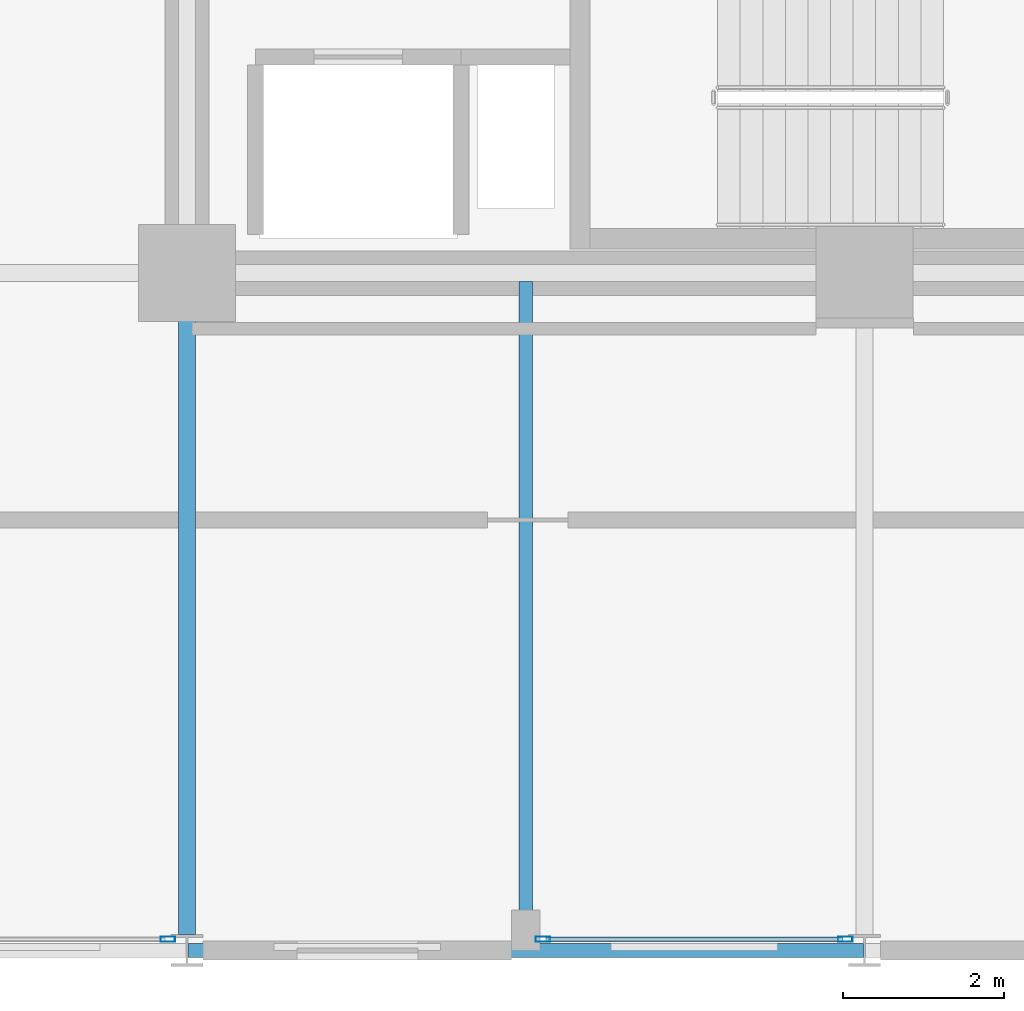
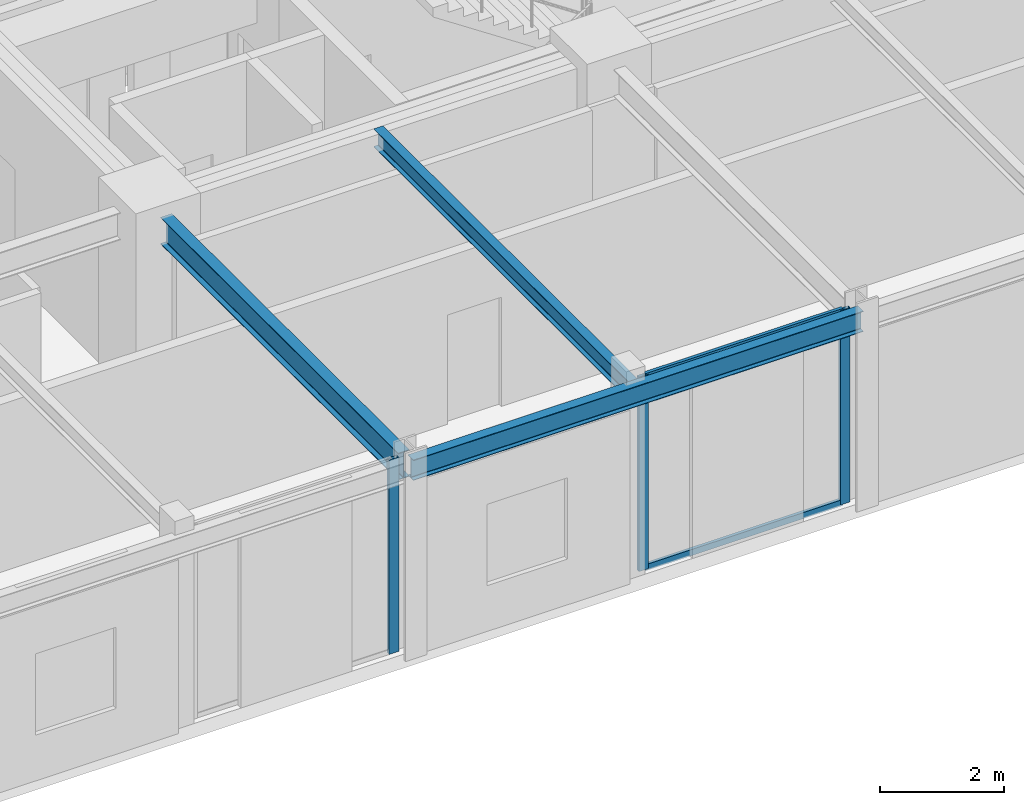
# One storey, part 6 of 29: 5 members, 3 beams, 2 elements without a shape of their own.
"""IFC4 building model written with IfcOpenShell, lengths in metres."""

from ifc_helpers import new_model, si_unit, direction, frame, origin, origin_2d, place, context, subcontext, project, spatial, hollow_rectangle, i_section, extrude, material, layer, layer_set, material_profile, profile_set, type_object, element, aggregate, save


model = new_model("IFC4")

# Units and contexts
model_context = context("Model", 3, precision=1e-05, world=origin(), true_north=direction((0.0, 1.0)))
body_context = subcontext(model_context, "Body", "Model", "MODEL_VIEW")
ifc_project = project(units=[si_unit("LENGTHUNIT", "METRE"), si_unit("AREAUNIT", "SQUARE_METRE"), si_unit("VOLUMEUNIT", "CUBIC_METRE"), si_unit("PLANEANGLEUNIT", "RADIAN"), si_unit("MASSUNIT", "GRAM", prefix="KILO")], contexts=[model_context])

# Site, building, storey
site_placement = place(None, origin())
site = spatial("IfcSite", under=ifc_project, at=site_placement, CompositionType="ELEMENT")
building_placement = place(site_placement, origin())
building = spatial("IfcBuilding", under=site, at=building_placement, Name="Nerrivon Quay Data Exchange", CompositionType="ELEMENT")
storey_placement = place(building_placement, frame((0.0, 0.0, 137.699951171875)))
storey = spatial("IfcBuildingStorey", under=building, at=storey_placement, Name="L32", CompositionType="ELEMENT", Elevation=137.699951171875)

# Beams
ifc_material_1 = material(Name="Steel Grade 350", Category="steel")
ifc_material_profile_1 = material_profile(ifc_material_1, i_section(OverallWidth=0.208984375, OverallDepth=0.528076171875, WebThickness=0.009521484375, FlangeThickness=0.01318359375, FilletRadius=0.013916015625, at=origin_2d()), Name="530UB82.0")
ifc_profile_set_1 = profile_set([ifc_material_profile_1], Name="Steel Grade 350")
beam_type_1 = type_object("IfcBeamType", Name="BM-G4-530UB82", PredefinedType="BEAM", material=ifc_profile_set_1)
beam_1_placement = place(storey_placement, frame((16.800048828125, 0.199951171875, 3.56103515625), z_axis=(0.0, 1.0, 0.0), x_axis=(-1.0, 0.0, 0.0)))
element("IfcBeam", 1, at=beam_1_placement, inside=storey, type_object=beam_type_1, Name="L32 NS Girder X=16.8 (0.0..8.4)", PredefinedType="BEAM", context=body_context, shape_type="SweptSolid", body=[
    extrude(i_section(OverallWidth=0.208984375, OverallDepth=0.528076171875, WebThickness=0.009521484375, FlangeThickness=0.01318359375, FilletRadius=0.013916015625, at=origin_2d()), origin(), (0.0, 0.0, 1.0), 7.66015625),
])
ifc_material_profile_2 = material_profile(ifc_material_1, i_section(OverallWidth=0.1708984375, OverallDepth=0.35595703125, WebThickness=0.00732421875, FlangeThickness=0.011474609375, FilletRadius=0.011474609375, at=origin_2d()), Name="360UB50.7")
ifc_profile_set_2 = profile_set([ifc_material_profile_2], Name="Steel Grade 350")
beam_type_2 = type_object("IfcBeamType", Name="BM-J4-360UB51", PredefinedType="JOIST", material=ifc_profile_set_2)
beam_2_placement = place(storey_placement, frame((21.0, 0.089111328125, 3.64697265625), z_axis=(0.0, 1.0, 0.0), x_axis=(-1.0, 0.0, 0.0)))
element("IfcBeam", 2, at=beam_2_placement, inside=storey, type_object=beam_type_2, Name="L32 Secondary Joist X=21.0 (0.0..8.4)", PredefinedType="JOIST", context=body_context, shape_type="SweptSolid", body=[
    extrude(i_section(OverallWidth=0.1708984375, OverallDepth=0.35595703125, WebThickness=0.00732421875, FlangeThickness=0.011474609375, FilletRadius=0.011474609375, at=origin_2d()), origin(), (0.0, 0.0, 1.0), 8.206298828125),
])
ifc_material_profile_3 = material_profile(ifc_material_1, i_section(OverallWidth=0.177978515625, OverallDepth=0.403076171875, WebThickness=0.007568359375, FlangeThickness=0.010986328125, FilletRadius=0.011474609375, at=origin_2d()), Name="410UB53.7")
ifc_profile_set_3 = profile_set([ifc_material_profile_3], Name="Steel Grade 350")
beam_type_3 = type_object("IfcBeamType", Name="BM-SP2-410UB54", PredefinedType="SPANDREL", material=ifc_profile_set_3)
beam_3_placement = place(storey_placement, frame((16.8125, 0.0, 3.62353515625), z_axis=(1.0, 0.0, 0.0), x_axis=(0.0, 1.0, 0.0)))
element("IfcBeam", 3, at=beam_3_placement, inside=storey, type_object=beam_type_3, Name="L32 EW Girder Y=0.0 (16.8..25.2)", PredefinedType="SPANDREL", context=body_context, shape_type="SweptSolid", body=[
    extrude(i_section(OverallWidth=0.177978515625, OverallDepth=0.403076171875, WebThickness=0.007568359375, FlangeThickness=0.010986328125, FilletRadius=0.011474609375, at=origin_2d()), origin(), (0.0, 0.0, 1.0), 8.375),
])

# Curtain wall, members
ifc_material_2 = material(Name="Anodised aluminium 6063-T6", Category="aluminium")
ifc_layer = layer(ifc_material_2, 0.2099609375)
ifc_layer_set = layer_set([ifc_layer], Name="Anodised aluminium 6063-T6")
curtain_wall_type = type_object("IfcCurtainWallType", Name="CW-SYS-02", PredefinedType="NOTDEFINED", material=ifc_layer_set)
curtain_wall_1_placement = place(storey_placement, origin())
curtain_wall_1 = element("IfcCurtainWall", 4, at=curtain_wall_1_placement, inside=storey, type_object=curtain_wall_type, Name="L32 Unitised Curtain Wall 4", PredefinedType="NOTDEFINED")
ifc_material_profile_4 = material_profile(ifc_material_2, hollow_rectangle(XDim=0.06494140625, YDim=0.179931640625, WallThickness=0.00341796875, at=origin_2d()), Name="ALU-MULL-180x65")
ifc_profile_set_4 = profile_set([ifc_material_profile_4], Name="Anodised aluminium 6063-T6")
member_type_1 = type_object("IfcMemberType", Name="CWM-180x65", PredefinedType="MULLION", material=ifc_profile_set_4)
member_1_placement = place(storey_placement, frame((24.96240234375, 0.139892578125, 0.0), z_axis=(0.0, 0.0, 1.0), x_axis=(0.0, -1.0, 0.0)))
member_1 = element("IfcMember", 5, at=member_1_placement, type_object=member_type_1, Name="CW02 mullion 1", PredefinedType="MULLION", context=body_context, shape_type="SweptSolid", body=[
    extrude(hollow_rectangle(XDim=0.06494140625, YDim=0.179931640625, WallThickness=0.00341796875, at=origin_2d()), origin(), (0.0, 0.0, 1.0), 3.824951171875),
])
member_2_placement = place(storey_placement, frame((21.21240234375, 0.139892578125, 0.0), z_axis=(0.0, 0.0, 1.0), x_axis=(0.0, -1.0, 0.0)))
member_2 = element("IfcMember", 6, at=member_2_placement, type_object=member_type_1, Name="CW02 mullion 2", PredefinedType="MULLION", context=body_context, shape_type="SweptSolid", body=[
    extrude(hollow_rectangle(XDim=0.06494140625, YDim=0.179931640625, WallThickness=0.00341796875, at=origin_2d()), origin(), (0.0, 0.0, 1.0), 3.824951171875),
])

# Curtain wall, member
curtain_wall_2_placement = place(storey_placement, origin())
curtain_wall_2 = element("IfcCurtainWall", 7, at=curtain_wall_2_placement, inside=storey, type_object=curtain_wall_type, Name="L32 Unitised Curtain Wall 6", PredefinedType="NOTDEFINED")
member_3_placement = place(storey_placement, frame((16.5625, 0.139892578125, 0.0), z_axis=(0.0, 0.0, 1.0), x_axis=(0.0, -1.0, 0.0)))
member_3 = element("IfcMember", 8, at=member_3_placement, type_object=member_type_1, Name="CW02 mullion 1", PredefinedType="MULLION", context=body_context, shape_type="SweptSolid", body=[
    extrude(hollow_rectangle(XDim=0.06494140625, YDim=0.179931640625, WallThickness=0.00341796875, at=origin_2d()), origin(), (0.0, 0.0, 1.0), 3.824951171875),
])
aggregate(curtain_wall_2, [member_3])

# Member
ifc_material_profile_5 = material_profile(ifc_material_2, hollow_rectangle(XDim=0.06005859375, YDim=0.1201171875, WallThickness=0.003173828125, at=origin_2d()), Name="ALU-TRAN-120x60")
ifc_profile_set_5 = profile_set([ifc_material_profile_5], Name="Anodised aluminium 6063-T6")
member_type_2 = type_object("IfcMemberType", Name="CWT-120x60", PredefinedType="USERDEFINED", material=ifc_profile_set_5)
member_4_placement = place(storey_placement, frame((24.925048828125, 0.139892578125, 0.032470703125), z_axis=(-1.0, 0.0, 0.0), x_axis=(0.0, -1.0, 0.0)))
member_4 = element("IfcMember", 9, at=member_4_placement, type_object=member_type_2, Name="CW02 transom 1.1", ObjectType="TRANSOM", PredefinedType="USERDEFINED", context=body_context, shape_type="SweptSolid", body=[
    extrude(hollow_rectangle(XDim=0.06005859375, YDim=0.1201171875, WallThickness=0.003173828125, at=origin_2d()), origin(), (0.0, 0.0, 1.0), 3.675048828125),
])

member_5_placement = place(storey_placement, frame((24.925048828125, 0.139892578125, 3.79248046875), z_axis=(-1.0, 0.0, 0.0), x_axis=(0.0, -1.0, 0.0)))
member_5 = element("IfcMember", 10, at=member_5_placement, type_object=member_type_2, Name="CW02 transom 1.2", ObjectType="TRANSOM", PredefinedType="USERDEFINED", context=body_context, shape_type="SweptSolid", body=[
    extrude(hollow_rectangle(XDim=0.06005859375, YDim=0.1201171875, WallThickness=0.003173828125, at=origin_2d()), origin(), (0.0, 0.0, 1.0), 3.675048828125),
])

aggregate(curtain_wall_1, [member_1, member_2, member_4, member_5])

save(model, "model.ifc")
